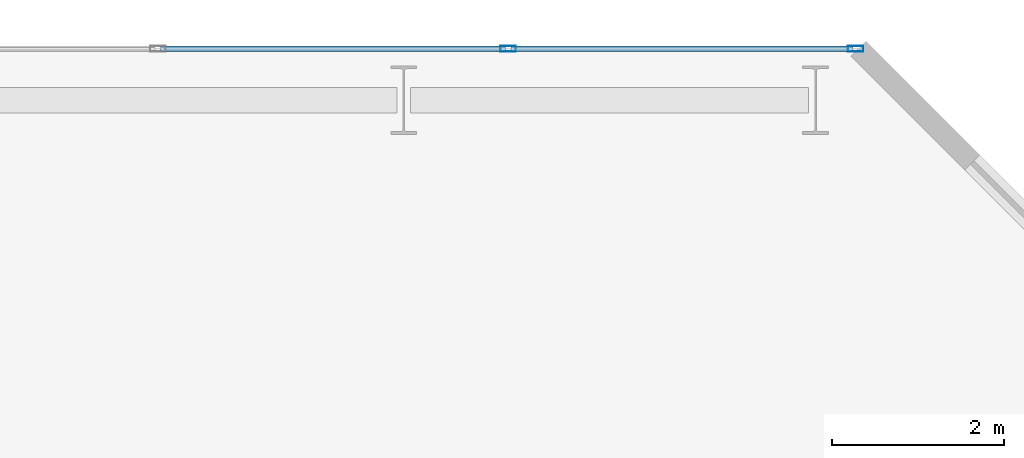
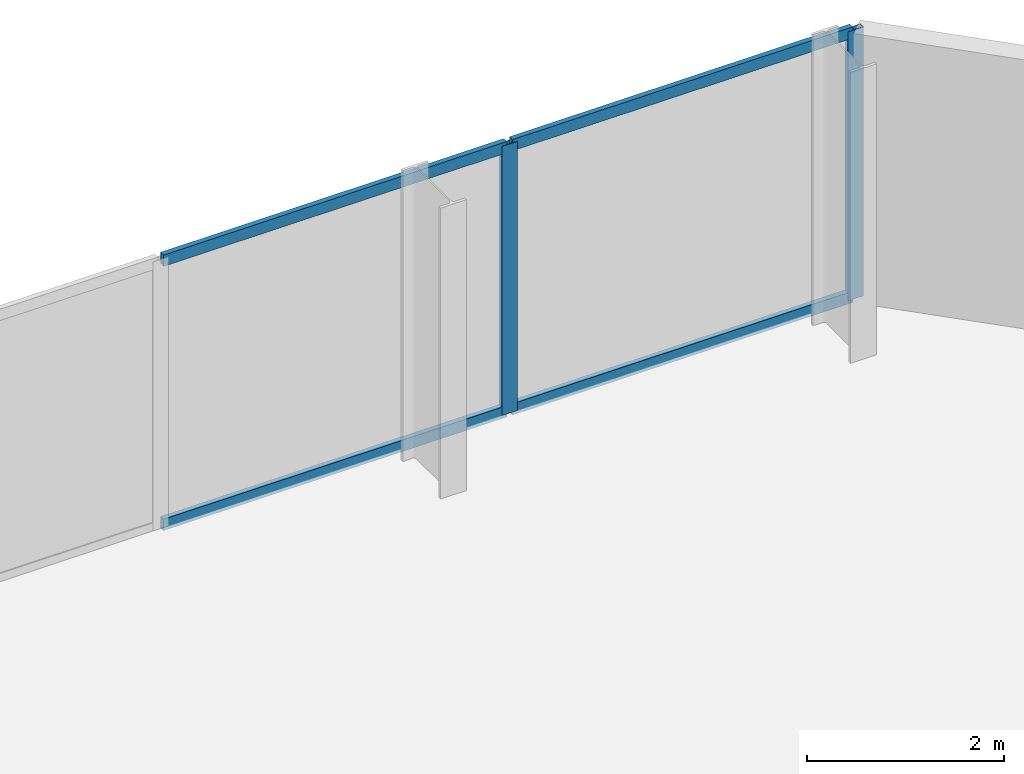
# One storey, part 27 of 33: 6 members, 1 element without a shape of its own.
"""IFC4 building model written with IfcOpenShell, lengths in metres."""

from ifc_helpers import new_model, si_unit, direction, frame, origin, origin_2d, place, context, subcontext, project, spatial, hollow_rectangle, extrude, material, layer, layer_set, material_profile, profile_set, type_object, element, aggregate, save


model = new_model("IFC4")

# Units and contexts
model_context = context("Model", 3, precision=1e-05, world=origin(), true_north=direction((0.0, 1.0)))
body_context = subcontext(model_context, "Body", "Model", "MODEL_VIEW")
ifc_project = project(units=[si_unit("LENGTHUNIT", "METRE"), si_unit("AREAUNIT", "SQUARE_METRE"), si_unit("VOLUMEUNIT", "CUBIC_METRE"), si_unit("PLANEANGLEUNIT", "RADIAN"), si_unit("MASSUNIT", "GRAM", prefix="KILO")], contexts=[model_context])

# Site, building, storey
site_placement = place(None, origin())
site = spatial("IfcSite", under=ifc_project, at=site_placement, CompositionType="ELEMENT")
building_placement = place(site_placement, origin())
building = spatial("IfcBuilding", under=site, at=building_placement, Name="Catumbela Crestline Tower", CompositionType="ELEMENT")
storey_placement = place(building_placement, frame((0.0, 0.0, 47.4)))
storey = spatial("IfcBuildingStorey", under=building, at=storey_placement, Name="L11", CompositionType="ELEMENT", Elevation=47.4)

# Curtain wall, members
ifc_material = material(Name="Aluminium alloy AW-6060-T66", Category="aluminium")
ifc_layer = layer(ifc_material, 0.18, Name="Aluminium alloy AW-6060-T66")
ifc_layer_set = layer_set([ifc_layer], Name="Aluminium alloy AW-6060-T66")
curtain_wall_type = type_object("IfcCurtainWallType", Name="CWU-Z1", PredefinedType="USERDEFINED", material=ifc_layer_set)
curtain_wall_placement = place(storey_placement, origin())
curtain_wall = element("IfcCurtainWall", 1, at=curtain_wall_placement, inside=storey, type_object=curtain_wall_type, Name="L11 Unitised Curtain Wall CW-L11-E7S1", ObjectType="UNITISED", PredefinedType="USERDEFINED")
ifc_material_profile_1 = material_profile(ifc_material, hollow_rectangle(XDim=0.065, YDim=0.18, WallThickness=0.004, at=origin_2d()), Name="ALU 180x65x4")
ifc_profile_set_1 = profile_set([ifc_material_profile_1], Name="Aluminium alloy AW-6060-T66")
member_type_1 = type_object("IfcMemberType", Name="MUL-180X65", PredefinedType="MULLION", material=ifc_profile_set_1)
member_1_placement = place(storey_placement, frame((52.4675, 48.0, 0.0), z_axis=(0.0, 0.0, 1.0), x_axis=(0.0, -1.0, 0.0)))
member_1 = element("IfcMember", 2, at=member_1_placement, type_object=member_type_1, Name="CWU-Z1 mullion 1", PredefinedType="MULLION", context=body_context, shape_type="SweptSolid", body=[
    extrude(hollow_rectangle(XDim=0.065, YDim=0.18, WallThickness=0.004, at=origin_2d()), origin(), (0.0, 0.0, 1.0), 3.33),
])
member_2_placement = place(storey_placement, frame((48.4167, 48.0, 0.0), z_axis=(0.0, 0.0, 1.0), x_axis=(0.0, -1.0, 0.0)))
member_2 = element("IfcMember", 3, at=member_2_placement, type_object=member_type_1, Name="CWU-Z1 mullion 2", PredefinedType="MULLION", context=body_context, shape_type="SweptSolid", body=[
    extrude(hollow_rectangle(XDim=0.065, YDim=0.18, WallThickness=0.004, at=origin_2d()), origin(), (0.0, 0.0, 1.0), 3.33),
])
ifc_material_profile_2 = material_profile(ifc_material, hollow_rectangle(XDim=0.06, YDim=0.14, WallThickness=0.004, at=origin_2d()), Name="ALU 140x60x4")
ifc_profile_set_2 = profile_set([ifc_material_profile_2], Name="Aluminium alloy AW-6060-T66")
member_type_2 = type_object("IfcMemberType", Name="TRN-140X60", PredefinedType="USERDEFINED", material=ifc_profile_set_2)
member_3_placement = place(storey_placement, frame((52.435, 48.0, 0.03), z_axis=(-1.0, 0.0, 0.0), x_axis=(0.0, -1.0, 0.0)))
member_3 = element("IfcMember", 4, at=member_3_placement, type_object=member_type_2, Name="CWU-Z1 transom 1.1", ObjectType="TRANSOM", PredefinedType="USERDEFINED", context=body_context, shape_type="SweptSolid", body=[
    extrude(hollow_rectangle(XDim=0.06, YDim=0.14, WallThickness=0.004, at=origin_2d()), origin(), (0.0, 0.0, 1.0), 3.9858),
])
member_4_placement = place(storey_placement, frame((52.435, 48.0, 3.3), z_axis=(-1.0, 0.0, 0.0), x_axis=(0.0, -1.0, 0.0)))
member_4 = element("IfcMember", 5, at=member_4_placement, type_object=member_type_2, Name="CWU-Z1 transom 1.2", ObjectType="TRANSOM", PredefinedType="USERDEFINED", context=body_context, shape_type="SweptSolid", body=[
    extrude(hollow_rectangle(XDim=0.06, YDim=0.14, WallThickness=0.004, at=origin_2d()), origin(), (0.0, 0.0, 1.0), 3.9858),
])
member_5_placement = place(storey_placement, frame((48.3842, 48.0, 0.03), z_axis=(-1.0, 0.0, 0.0), x_axis=(0.0, -1.0, 0.0)))
member_5 = element("IfcMember", 6, at=member_5_placement, type_object=member_type_2, Name="CWU-Z1 transom 2.1", ObjectType="TRANSOM", PredefinedType="USERDEFINED", context=body_context, shape_type="SweptSolid", body=[
    extrude(hollow_rectangle(XDim=0.06, YDim=0.14, WallThickness=0.004, at=origin_2d()), origin(), (0.0, 0.0, 1.0), 4.0184),
])
member_6_placement = place(storey_placement, frame((48.3842, 48.0, 3.3), z_axis=(-1.0, 0.0, 0.0), x_axis=(0.0, -1.0, 0.0)))
member_6 = element("IfcMember", 7, at=member_6_placement, type_object=member_type_2, Name="CWU-Z1 transom 2.2", ObjectType="TRANSOM", PredefinedType="USERDEFINED", context=body_context, shape_type="SweptSolid", body=[
    extrude(hollow_rectangle(XDim=0.06, YDim=0.14, WallThickness=0.004, at=origin_2d()), origin(), (0.0, 0.0, 1.0), 4.0184),
])
aggregate(curtain_wall, [member_1, member_2, member_3, member_4, member_5, member_6])

save(model, "model.ifc")
